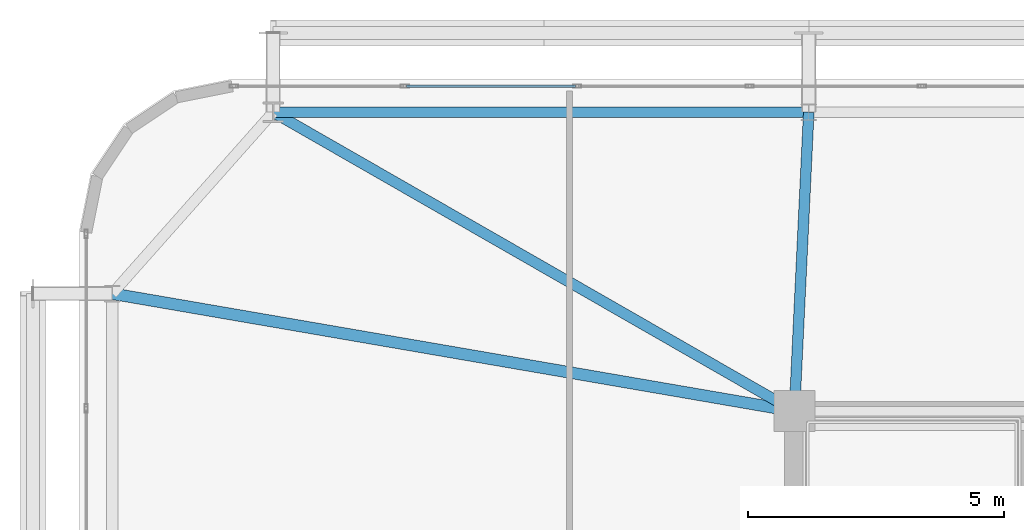
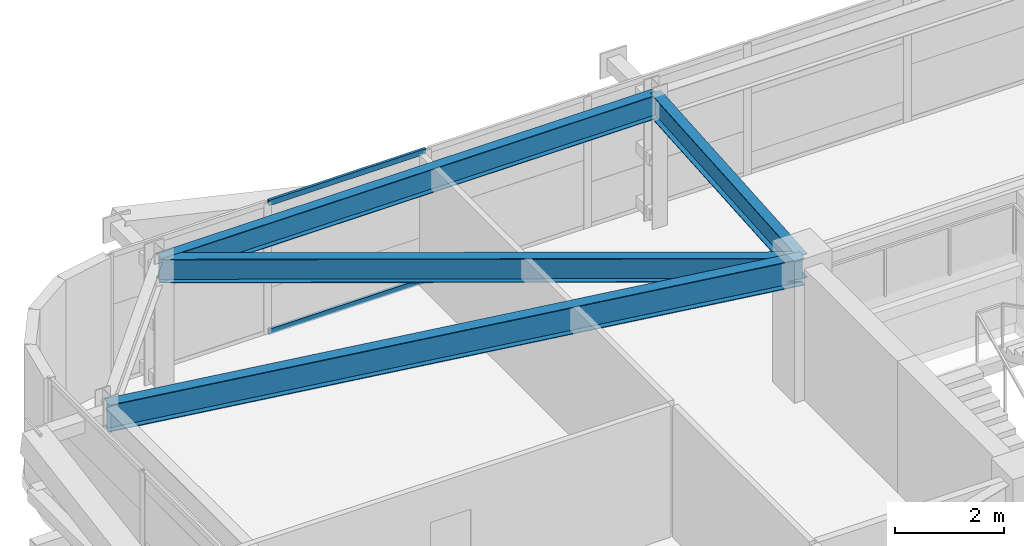
# One storey, part 34 of 59: 4 beams, 2 members, 1 element without a shape of its own.
"""IFC4 building model written with IfcOpenShell, lengths in metres."""

from ifc_helpers import new_model, si_unit, direction, frame, origin, origin_2d, place, context, subcontext, project, spatial, hollow_rectangle, i_section, extrude, source, transform, mapped, material, layer, layer_set, material_profile, profile_set, type_object, element, aggregate, save


model = new_model("IFC4")

# Units and contexts
model_context = context("Model", 3, precision=1e-05, world=origin(), true_north=direction((0.0, 1.0)))
body_context = subcontext(model_context, "Body", "Model", "MODEL_VIEW")
ifc_project = project(units=[si_unit("LENGTHUNIT", "METRE"), si_unit("AREAUNIT", "SQUARE_METRE"), si_unit("VOLUMEUNIT", "CUBIC_METRE"), si_unit("PLANEANGLEUNIT", "RADIAN"), si_unit("MASSUNIT", "GRAM", prefix="KILO")], contexts=[model_context])

# Site, building, storey
site_placement = place(None, origin())
site = spatial("IfcSite", under=ifc_project, at=site_placement, CompositionType="ELEMENT")
building_placement = place(site_placement, origin())
building = spatial("IfcBuilding", under=site, at=building_placement, Name="Taldren Reach Tower", CompositionType="ELEMENT")
storey_placement = place(building_placement, frame((0.0, 0.0, 45.14990234375)))
storey = spatial("IfcBuildingStorey", under=building, at=storey_placement, Name="L13", CompositionType="ELEMENT", Elevation=45.14990234375)

# Beams
ifc_material_1 = material(Name="Steel Gr 350 (350PLUS)", Category="steel")
ifc_material_profile_1 = material_profile(ifc_material_1, i_section(OverallWidth=0.208984375, OverallDepth=0.528076171875, WebThickness=0.009521484375, FlangeThickness=0.01318359375, at=origin_2d()), Name="530UB82.0")
ifc_profile_set_1 = profile_set([ifc_material_profile_1], Name="Steel Gr 350 (350PLUS)")
beam_type_1 = type_object("IfcBeamType", Name="SP-UB530B", PredefinedType="SPANDREL", material=ifc_profile_set_1)
shared_shape_1 = source(origin(), body_context, "Body", "SweptSolid", [
    extrude(i_section(OverallWidth=0.208984375, OverallDepth=0.528076171875, WebThickness=0.009521484375, FlangeThickness=0.01318359375, at=origin_2d()), origin(), (0.0, 0.0, 1.0), 10.47998046875),
])
beam_1_placement = place(storey_placement, frame((19.280029296875, 37.85009765625, 2.666015625), z_axis=(-1.0, 0.0, 0.0), x_axis=(0.0, -1.0, 0.0)))
element("IfcBeam", 1, at=beam_1_placement, inside=storey, type_object=beam_type_1, Name="Perimeter spandrel B1 N2-N1 L13", PredefinedType="SPANDREL", context=body_context, shape_type="MappedRepresentation", body=[
    mapped(shared_shape_1, transform((0.0, 0.0, 0.0), scale=1.0)),
])
ifc_material_profile_2 = material_profile(ifc_material_1, i_section(OverallWidth=0.22802734375, OverallDepth=0.60205078125, WebThickness=0.010498046875, FlangeThickness=0.014892578125, at=origin_2d()), Name="610UB101")
ifc_profile_set_2 = profile_set([ifc_material_profile_2], Name="Steel Gr 350 (350PLUS)")
beam_type_2 = type_object("IfcBeamType", Name="BM-UB610B", PredefinedType="BEAM", material=ifc_profile_set_2)
shared_shape_2 = source(origin(), body_context, "Body", "SweptSolid", [
    extrude(i_section(OverallWidth=0.22802734375, OverallDepth=0.60205078125, WebThickness=0.010498046875, FlangeThickness=0.014892578125, at=origin_2d()), origin(), (0.0, 0.0, 1.0), 13.546875),
])
beam_2_placement = place(storey_placement, frame((19.0, 32.0, 2.629150390625), z_axis=(-0.985481022998, 0.169785609847, 0.0), x_axis=(-0.169785609847, -0.985481022998, 0.0)))
element("IfcBeam", 2, at=beam_2_placement, inside=storey, type_object=beam_type_2, Name="Primary floor girder B1-W3 L13", PredefinedType="BEAM", context=body_context, shape_type="MappedRepresentation", body=[
    mapped(shared_shape_2, transform((0.0, 0.0, 0.0), scale=1.0)),
])
ifc_material_profile_3 = material_profile(ifc_material_1, i_section(OverallWidth=0.208984375, OverallDepth=0.532958984375, WebThickness=0.01025390625, FlangeThickness=0.015625, at=origin_2d()), Name="530UB92.4")
ifc_profile_set_3 = profile_set([ifc_material_profile_3], Name="Steel Gr 350 (350PLUS)")
beam_type_3 = type_object("IfcBeamType", Name="BM-UB530A", PredefinedType="BEAM", material=ifc_profile_set_3)
shared_shape_3 = source(origin(), body_context, "Body", "SweptSolid", [
    extrude(i_section(OverallWidth=0.208984375, OverallDepth=0.532958984375, WebThickness=0.01025390625, FlangeThickness=0.015625, at=origin_2d()), origin(), (0.0, 0.0, 1.0), 11.758544921875),
])
beam_3_placement = place(storey_placement, frame((19.0, 32.0, 2.66357421875), z_axis=(-0.867452414141, 0.497520159593, 0.0), x_axis=(-0.497520159593, -0.867452414141, 0.0)))
element("IfcBeam", 3, at=beam_3_placement, inside=storey, type_object=beam_type_3, Name="Primary floor girder B1-N1 L13", PredefinedType="BEAM", context=body_context, shape_type="MappedRepresentation", body=[
    mapped(shared_shape_3, transform((0.0, 0.0, 0.0), scale=1.0)),
])
shared_shape_4 = source(origin(), body_context, "Body", "SweptSolid", [
    extrude(i_section(OverallWidth=0.208984375, OverallDepth=0.532958984375, WebThickness=0.01025390625, FlangeThickness=0.015625, at=origin_2d()), origin(), (0.0, 0.0, 1.0), 5.856689453125),
])
beam_4_placement = place(storey_placement, frame((19.0, 32.0, 2.66357421875), z_axis=(0.047812711672, 0.998856318297, 0.0), x_axis=(-0.998856318297, 0.047812711672, 0.0)))
element("IfcBeam", 4, at=beam_4_placement, inside=storey, type_object=beam_type_3, Name="Primary floor girder B1-N2 L13", PredefinedType="BEAM", context=body_context, shape_type="MappedRepresentation", body=[
    mapped(shared_shape_4, transform((0.0, 0.0, 0.0), scale=1.0)),
])

# Curtain wall, members
ifc_material_2 = material(Name="Aluminium and Low-E Glass Unitised System", Category="aluminium")
ifc_layer = layer(ifc_material_2, 0.159912109375)
ifc_layer_set = layer_set([ifc_layer], Name="Aluminium and Low-E Glass Unitised System")
curtain_wall_type = type_object("IfcCurtainWallType", Name="CW-SYS-2", PredefinedType="NOTDEFINED", material=ifc_layer_set)
curtain_wall_placement = place(storey_placement, origin())
curtain_wall = element("IfcCurtainWall", 5, at=curtain_wall_placement, inside=storey, type_object=curtain_wall_type, Name="Unitised curtain wall CW-L13-N", PredefinedType="NOTDEFINED")
ifc_material_3 = material(Name="Anodised Aluminium 6063-T6", Category="aluminium")
ifc_material_profile_4 = material_profile(ifc_material_3, hollow_rectangle(XDim=0.054931640625, YDim=0.1201171875, WallThickness=0.0029296875, at=origin_2d()), Name="ALU-120x55x3RHS")
ifc_profile_set_4 = profile_set([ifc_material_profile_4], Name="Anodised Aluminium 6063-T6")
member_type = type_object("IfcMemberType", Name="CW-TRN-135", PredefinedType="USERDEFINED", material=ifc_profile_set_4)
shared_shape_5 = source(origin(), body_context, "Body", "SweptSolid", [
    extrude(hollow_rectangle(XDim=0.054931640625, YDim=0.1201171875, WallThickness=0.0029296875, at=origin_2d()), origin(), (0.0, 0.0, 1.0), 3.31005859375),
])
member_1_placement = place(storey_placement, frame((14.717529296875, 38.360107421875, 0.027587890625), z_axis=(-1.0, 0.0, 0.0), x_axis=(0.0, -1.0, 0.0)))
member_1 = element("IfcMember", 6, at=member_1_placement, type_object=member_type, Name="CW-2 transom 15.1", ObjectType="TRANSOM", PredefinedType="USERDEFINED", context=body_context, shape_type="MappedRepresentation", body=[
    mapped(shared_shape_5, transform((0.0, 0.0, 0.0), scale=1.0)),
])
member_2_placement = place(storey_placement, frame((14.717529296875, 38.360107421875, 2.902587890625), z_axis=(-1.0, 0.0, 0.0), x_axis=(0.0, -1.0, 0.0)))
member_2 = element("IfcMember", 7, at=member_2_placement, type_object=member_type, Name="CW-2 transom 15.2", ObjectType="TRANSOM", PredefinedType="USERDEFINED", context=body_context, shape_type="MappedRepresentation", body=[
    mapped(shared_shape_5, transform((0.0, 0.0, 0.0), scale=1.0)),
])
aggregate(curtain_wall, [member_1, member_2])

save(model, "model.ifc")
